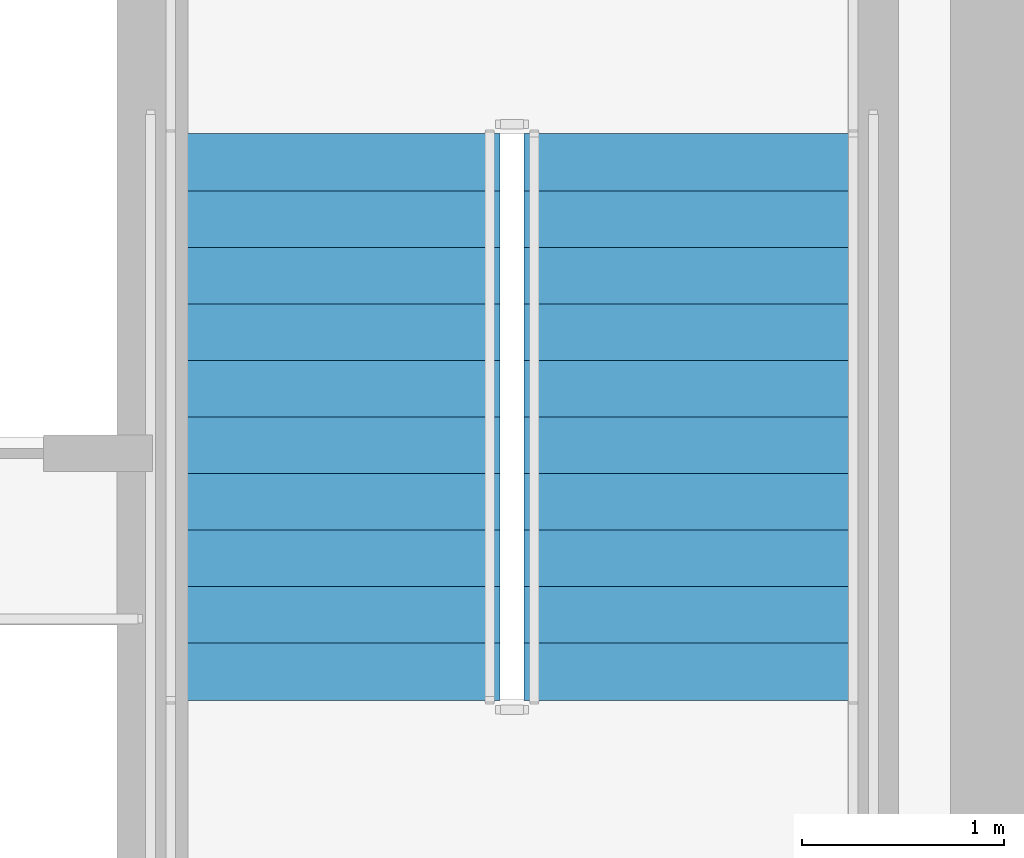
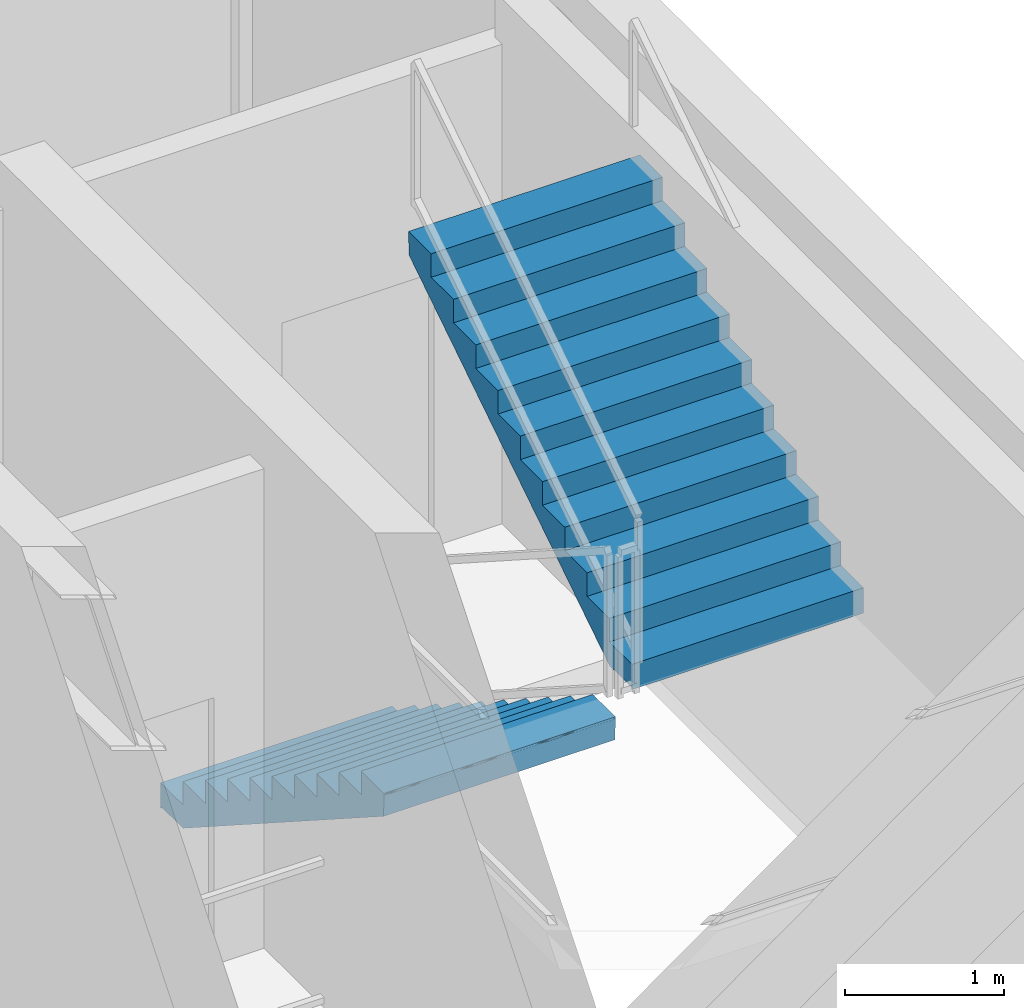
# One storey, part 4 of 6: 2 stair flights, 1 element without a shape of its own.
"""IFC4 building model written with IfcOpenShell, lengths in metres."""

from ifc_helpers import new_model, si_unit, direction, frame, origin, place, context, subcontext, project, spatial, polyline, outline, extrude, material, type_object, element, aggregate, save


model = new_model("IFC4")

# Units and contexts
model_context = context("Model", 3, precision=1e-05, world=origin(), true_north=direction((0.0, 1.0)))
body_context = subcontext(model_context, "Body", "Model", "MODEL_VIEW")
ifc_project = project(units=[si_unit("LENGTHUNIT", "METRE"), si_unit("AREAUNIT", "SQUARE_METRE"), si_unit("VOLUMEUNIT", "CUBIC_METRE"), si_unit("PLANEANGLEUNIT", "RADIAN"), si_unit("MASSUNIT", "GRAM", prefix="KILO")], contexts=[model_context])

# Site, building, storey
site_placement = place(None, origin())
site = spatial("IfcSite", under=ifc_project, at=site_placement, CompositionType="ELEMENT")
building_placement = place(site_placement, origin())
building = spatial("IfcBuilding", under=site, at=building_placement, Name="Brelvock Crest Care Tower", CompositionType="ELEMENT")
storey_placement = place(building_placement, frame((0.0, 0.0, 307.800048828125)))
storey = spatial("IfcBuildingStorey", under=building, at=storey_placement, Name="L78", CompositionType="ELEMENT", Elevation=307.800048828125)

# Stair, stair flights
ifc_material = material(Name="Concrete N40 (40 MPa)", Category="concrete")
stair_type = type_object("IfcStairType", Name="ST-CORE1", PredefinedType="HALF_TURN_STAIR", material=ifc_material)
stair_placement = place(storey_placement, origin())
stair = element("IfcStair", 1, at=stair_placement, inside=storey, type_object=stair_type, Name="L78 Fire-Isolated Core Stair ST-2", PredefinedType="HALF_TURN_STAIR")
stair_flight_type = type_object("IfcStairFlightType", Name="STF-1", PredefinedType="STRAIGHT", material=ifc_material)
stair_flight_1_placement = place(storey_placement, frame((44.72998046875, 12.080078125, 0.0), z_axis=(0.0, 0.0, 1.0), x_axis=(0.0, -1.0, 0.0)))
stair_flight_1 = element("IfcStairFlight", 2, at=stair_flight_1_placement, type_object=stair_flight_type, Name="ST-2 flight 1", NumberOfRisers=11, NumberOfTreads=10, PredefinedType="STRAIGHT", RiserHeight=0.18, TreadLength=0.28, context=body_context, shape_type="SweptSolid", body=[
    extrude(outline(polyline([(-0.00390625, -0.014892578125), (-0.00390625, -0.008056640625), (-0.00390625, -0.0009765625), (-0.00390625, 0.005859375), (-0.00390625, 0.012939453125), (-0.00390625, 0.019775390625), (-0.00390625, 0.02685546875), (-0.00390625, 0.03369140625), (-0.00390625, 0.040771484375), (-0.00390625, 0.047607421875), (-0.00390625, 0.0546875), (-0.00390625, 0.0615234375), (-0.00390625, 0.068603515625), (-0.00390625, 0.075439453125), (-0.00390625, 0.08251953125), (-0.00390625, 0.08935546875), (-0.00390625, 0.096435546875), (-0.00390625, 0.103271484375), (-0.00390625, 0.1103515625), (-0.00390625, 0.117431640625), (-0.00390625, 0.124267578125), (-0.00390625, 0.13134765625), (-0.00390625, 0.13818359375), (-0.00390625, 0.145263671875), (-0.00390625, 0.152099609375), (-0.00390625, 0.1591796875), (-0.00390625, 0.166015625), (-0.00390625, 0.173095703125), (-0.00390625, 0.179931640625), (0.0, 0.179931640625), (0.280029296875, 0.179931640625), (0.280029296875, 0.360107421875), (0.56005859375, 0.360107421875), (0.56005859375, 0.5400390625), (0.840087890625, 0.5400390625), (0.840087890625, 0.719970703125), (1.1201171875, 0.719970703125), (1.1201171875, 0.89990234375), (1.39990234375, 0.89990234375), (1.39990234375, 1.080078125), (1.679931640625, 1.080078125), (1.679931640625, 1.260009765625), (1.9599609375, 1.260009765625), (1.9599609375, 1.43994140625), (2.239990234375, 1.43994140625), (2.239990234375, 1.6201171875), (2.52001953125, 1.6201171875), (2.52001953125, 1.800048828125), (2.800048828125, 1.800048828125), (2.803955078125, 1.800048828125), (2.8037109375, 1.79931640625), (2.803955078125, 1.798828125), (2.8037109375, 1.798095703125), (2.803955078125, 1.79736328125), (2.8037109375, 1.796875), (2.803955078125, 1.796142578125), (2.8037109375, 1.79541015625), (2.803955078125, 1.794921875), (2.8037109375, 1.794189453125), (2.803955078125, 1.79345703125), (2.8037109375, 1.79296875), (2.803955078125, 1.792236328125), (2.8037109375, 1.791748046875), (2.803955078125, 1.791015625), (2.8037109375, 1.790283203125), (2.803955078125, 1.789794921875), (2.8037109375, 1.7890625), (2.803955078125, 1.788330078125), (2.8037109375, 1.787841796875), (2.803955078125, 1.787109375), (2.8037109375, 1.78662109375), (2.803955078125, 1.785888671875), (2.8037109375, 1.78515625), (2.803955078125, 1.78466796875), (2.8037109375, 1.783935546875), (2.803955078125, 1.783203125), (2.8037109375, 1.78271484375), (2.803955078125, 1.781982421875), (2.800048828125, 1.621826171875), (0.277099609375, 0.0), (0.0, 0.0), (0.0, -0.014892578125), (-0.00390625, -0.014892578125)])), frame((0.0, 0.83984375, 0.0), z_axis=(0.0, -1.0, 0.0), x_axis=(1.0, 0.0, 0.0)), (0.0, 0.0, 1.0), 1.679931640625),
])
stair_flight_2_placement = place(storey_placement, frame((46.530029296875, 9.280029296875, 1.97998046875), z_axis=(0.0, 0.0, 1.0), x_axis=(0.0, 1.0, 0.0)))
stair_flight_2 = element("IfcStairFlight", 3, at=stair_flight_2_placement, type_object=stair_flight_type, Name="ST-2 flight 2", NumberOfRisers=11, NumberOfTreads=10, PredefinedType="STRAIGHT", RiserHeight=0.18, TreadLength=0.28, context=body_context, shape_type="SweptSolid", body=[
    extrude(outline(polyline([(-0.00390625, -0.014892578125), (-0.00390625, -0.008056640625), (-0.00390625, -0.0009765625), (-0.00390625, 0.005859375), (-0.00390625, 0.012939453125), (-0.00390625, 0.019775390625), (-0.00390625, 0.02685546875), (-0.00390625, 0.03369140625), (-0.00390625, 0.040771484375), (-0.00390625, 0.047607421875), (-0.00390625, 0.0546875), (-0.00390625, 0.0615234375), (-0.00390625, 0.068603515625), (-0.00390625, 0.075439453125), (-0.00390625, 0.08251953125), (-0.00390625, 0.08935546875), (-0.00390625, 0.096435546875), (-0.00390625, 0.103271484375), (-0.00390625, 0.1103515625), (-0.00390625, 0.117431640625), (-0.00390625, 0.124267578125), (-0.00390625, 0.13134765625), (-0.00390625, 0.13818359375), (-0.00390625, 0.145263671875), (-0.00390625, 0.152099609375), (-0.00390625, 0.1591796875), (-0.00390625, 0.166015625), (-0.00390625, 0.173095703125), (-0.00390625, 0.179931640625), (0.0, 0.179931640625), (0.280029296875, 0.179931640625), (0.280029296875, 0.360107421875), (0.56005859375, 0.360107421875), (0.56005859375, 0.5400390625), (0.840087890625, 0.5400390625), (0.840087890625, 0.719970703125), (1.1201171875, 0.719970703125), (1.1201171875, 0.89990234375), (1.39990234375, 0.89990234375), (1.39990234375, 1.080078125), (1.679931640625, 1.080078125), (1.679931640625, 1.260009765625), (1.9599609375, 1.260009765625), (1.9599609375, 1.43994140625), (2.239990234375, 1.43994140625), (2.239990234375, 1.6201171875), (2.52001953125, 1.6201171875), (2.52001953125, 1.800048828125), (2.800048828125, 1.800048828125), (2.803955078125, 1.800048828125), (2.8037109375, 1.79931640625), (2.803955078125, 1.798828125), (2.8037109375, 1.798095703125), (2.803955078125, 1.79736328125), (2.8037109375, 1.796875), (2.803955078125, 1.796142578125), (2.8037109375, 1.79541015625), (2.803955078125, 1.794921875), (2.8037109375, 1.794189453125), (2.803955078125, 1.79345703125), (2.8037109375, 1.79296875), (2.803955078125, 1.792236328125), (2.8037109375, 1.791748046875), (2.803955078125, 1.791015625), (2.8037109375, 1.790283203125), (2.803955078125, 1.789794921875), (2.8037109375, 1.7890625), (2.803955078125, 1.788330078125), (2.8037109375, 1.787841796875), (2.803955078125, 1.787109375), (2.8037109375, 1.78662109375), (2.803955078125, 1.785888671875), (2.8037109375, 1.78515625), (2.803955078125, 1.78466796875), (2.8037109375, 1.783935546875), (2.803955078125, 1.783203125), (2.8037109375, 1.78271484375), (2.803955078125, 1.781982421875), (2.800048828125, 1.621826171875), (0.277099609375, 0.0), (0.0, 0.0), (0.0, -0.014892578125), (-0.00390625, -0.014892578125)])), frame((0.0, 0.83984375, 0.0), z_axis=(0.0, -1.0, 0.0), x_axis=(1.0, 0.0, 0.0)), (0.0, 0.0, 1.0), 1.679931640625),
])
aggregate(stair, [stair_flight_1, stair_flight_2])

save(model, "model.ifc")
